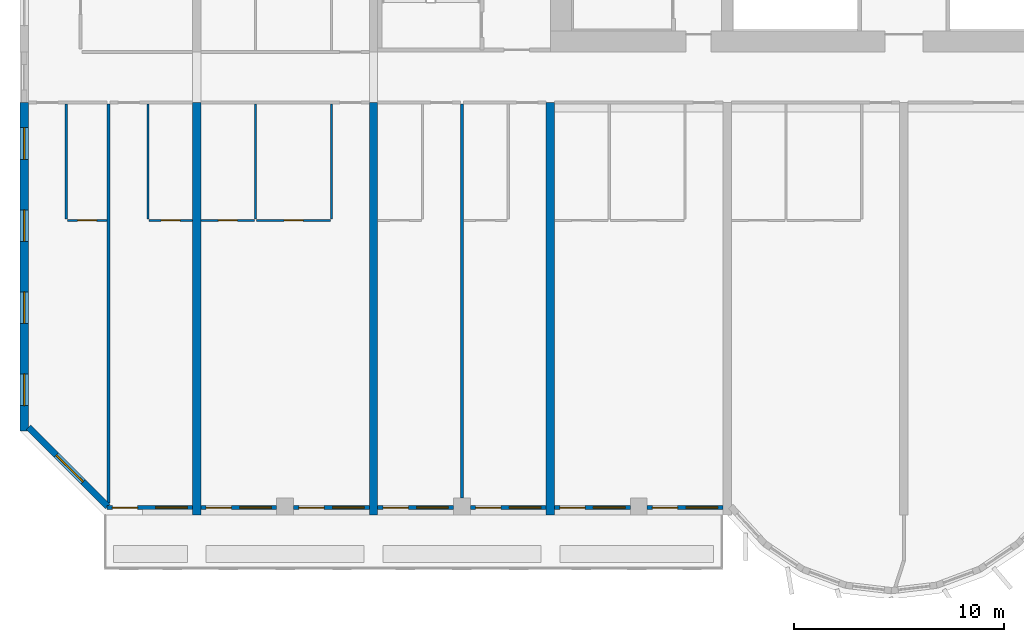
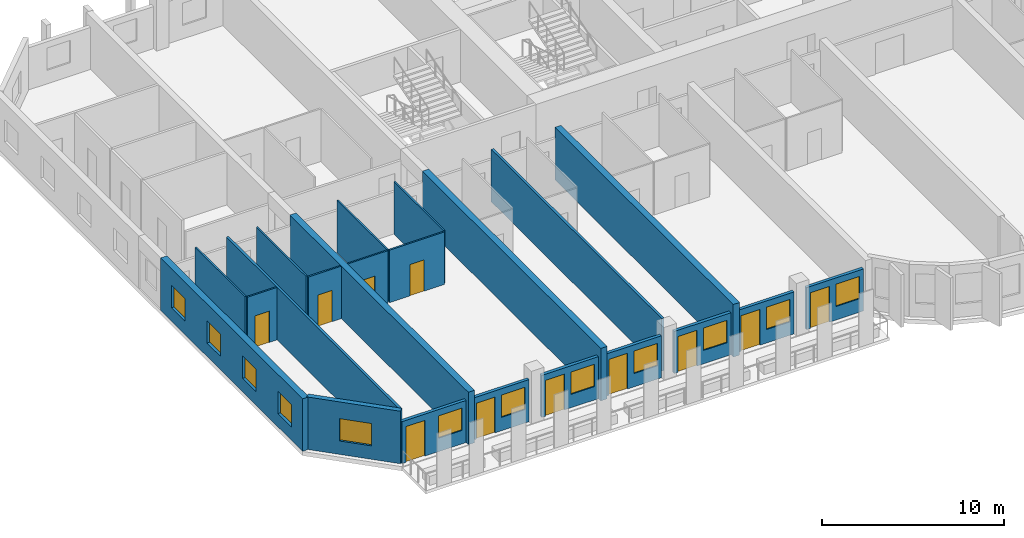
# One storey, part 2 of 14: 22 walls, 12 windows, 11 doors, 23 openings.
"""IFC4 building model written with IfcOpenShell, lengths in metres."""

from ifc_helpers import new_model, si_unit, direction, frame, frame_2d, origin, place, context, subcontext, project, spatial, rectangle, extrude, source, transform, mapped, material, layer, layer_set, type_object, element, fill, save


model = new_model("IFC4")

# Units and contexts
model_context = context("Model", 3, precision=1e-05, world=origin(), true_north=direction((0.0, 1.0)))
body_context = subcontext(model_context, "Body", "Model", "MODEL_VIEW")
ifc_project = project(units=[si_unit("LENGTHUNIT", "METRE"), si_unit("AREAUNIT", "SQUARE_METRE"), si_unit("VOLUMEUNIT", "CUBIC_METRE"), si_unit("PLANEANGLEUNIT", "RADIAN"), si_unit("MASSUNIT", "GRAM", prefix="KILO")], contexts=[model_context])

# Site, building, storey
site_placement = place(None, origin())
site = spatial("IfcSite", under=ifc_project, at=site_placement, CompositionType="ELEMENT")
building_placement = place(site_placement, origin())
building = spatial("IfcBuilding", under=site, at=building_placement, Name="Vanashikhar Sky Hotel", CompositionType="ELEMENT")
storey_placement = place(building_placement, frame((0.0, 0.0, 50.60009765625)))
storey = spatial("IfcBuildingStorey", under=building, at=storey_placement, Name="L11", CompositionType="ELEMENT", Elevation=50.60009765625)

# Wall, openings, windows
ifc_material_1 = material(Name="Concrete M80", Category="concrete")
ifc_layer_1 = layer(ifc_material_1, 0.39990234375)
ifc_layer_set_1 = layer_set([ifc_layer_1], Name="RC shear wall 400 Concrete M80")
wall_type_1 = type_object("IfcWallType", Name="RC shear wall 400 Concrete M80", PredefinedType="SHEAR", material=ifc_layer_set_1)
shared_shape_1 = source(origin(), body_context, "Body", "SweptSolid", [
    extrude(rectangle(XDim=15.60009765625, YDim=0.39990234375, at=frame_2d((7.800048828125, 0.0))), origin(), (0.0, 0.0, 1.0), 3.52001953125),
])
wall_1_placement = place(storey_placement, frame((0.199951171875, 4.0, 0.0), z_axis=(0.0, 0.0, 1.0), x_axis=(0.0, 1.0, 0.0)))
wall_1 = element("IfcWall", 1, at=wall_1_placement, inside=storey, type_object=wall_type_1, Name="CW-L11-XW01-1", PredefinedType="SHEAR", context=body_context, shape_type="MappedRepresentation", body=[
    mapped(shared_shape_1, transform((0.0, 0.0, 0.0), scale=1.0)),
])
shared_shape_2 = source(origin(), body_context, "Body", "SweptSolid", [
    extrude(rectangle(XDim=1.5, YDim=1.5, at=frame_2d((0.75, 0.75))), frame((0.0, 0.2099609375, 0.0), z_axis=(0.0, -1.0, 0.0), x_axis=(1.0, 0.0, 0.0)), (0.0, 0.0, 1.0), 0.419921875),
])
opening_1_placement = place(wall_1_placement, frame((1.199951171875, 0.0, 0.89990234375)))
opening_1 = element("IfcOpeningElement", 2, at=opening_1_placement, cuts=wall_1, Name="Opening WN-1", PredefinedType="OPENING", context=body_context, shape_type="MappedRepresentation", body=[
    mapped(shared_shape_2, transform((0.0, 0.0, 0.0), scale=1.0)),
])
opening_2_placement = place(wall_1_placement, frame((5.10009765625, 0.0, 0.89990234375)))
opening_2 = element("IfcOpeningElement", 3, at=opening_2_placement, cuts=wall_1, Name="Opening WN-1", PredefinedType="OPENING", context=body_context, shape_type="MappedRepresentation", body=[
    mapped(shared_shape_2, transform((0.0, 0.0, 0.0), scale=1.0)),
])
opening_3_placement = place(wall_1_placement, frame((9.0, 0.0, 0.89990234375)))
opening_3 = element("IfcOpeningElement", 4, at=opening_3_placement, cuts=wall_1, Name="Opening WN-1", PredefinedType="OPENING", context=body_context, shape_type="MappedRepresentation", body=[
    mapped(shared_shape_2, transform((0.0, 0.0, 0.0), scale=1.0)),
])
opening_4_placement = place(wall_1_placement, frame((12.89990234375, 0.0, 0.89990234375)))
opening_4 = element("IfcOpeningElement", 5, at=opening_4_placement, cuts=wall_1, Name="Opening WN-1", PredefinedType="OPENING", context=body_context, shape_type="MappedRepresentation", body=[
    mapped(shared_shape_2, transform((0.0, 0.0, 0.0), scale=1.0)),
])
ifc_material_2 = material(Name="Glass", Category="glass")
window_type_1 = type_object("IfcWindowType", Name="Window 1500 x 1500", PartitioningType="SINGLE_PANEL", PredefinedType="WINDOW", material=ifc_material_2)
shared_shape_3 = source(origin(), body_context, "Body", "SweptSolid", [
    extrude(rectangle(XDim=1.5, YDim=1.5, at=frame_2d((0.75, 0.75))), frame((0.0, 0.030029296875, 0.0), z_axis=(0.0, -1.0, 0.0), x_axis=(1.0, 0.0, 0.0)), (0.0, 0.0, 1.0), 0.06005859375),
])
window_1_placement = place(opening_1_placement, origin())
window_1 = element("IfcWindow", 6, at=window_1_placement, inside=storey, type_object=window_type_1, Name="Window WN-1", OverallHeight=1.5, OverallWidth=1.5, PartitioningType="SINGLE_PANEL", PredefinedType="WINDOW", context=body_context, shape_type="MappedRepresentation", body=[
    mapped(shared_shape_3, transform((0.0, 0.0, 0.0), scale=1.0)),
])
fill(opening_1, window_1)
window_2_placement = place(opening_2_placement, origin())
window_2 = element("IfcWindow", 7, at=window_2_placement, inside=storey, type_object=window_type_1, Name="Window WN-1", OverallHeight=1.5, OverallWidth=1.5, PartitioningType="SINGLE_PANEL", PredefinedType="WINDOW", context=body_context, shape_type="MappedRepresentation", body=[
    mapped(shared_shape_3, transform((0.0, 0.0, 0.0), scale=1.0)),
])
fill(opening_2, window_2)
window_3_placement = place(opening_3_placement, origin())
window_3 = element("IfcWindow", 8, at=window_3_placement, inside=storey, type_object=window_type_1, Name="Window WN-1", OverallHeight=1.5, OverallWidth=1.5, PartitioningType="SINGLE_PANEL", PredefinedType="WINDOW", context=body_context, shape_type="MappedRepresentation", body=[
    mapped(shared_shape_3, transform((0.0, 0.0, 0.0), scale=1.0)),
])
fill(opening_3, window_3)
window_4_placement = place(opening_4_placement, origin())
window_4 = element("IfcWindow", 9, at=window_4_placement, inside=storey, type_object=window_type_1, Name="Window WN-1", OverallHeight=1.5, OverallWidth=1.5, PartitioningType="SINGLE_PANEL", PredefinedType="WINDOW", context=body_context, shape_type="MappedRepresentation", body=[
    mapped(shared_shape_3, transform((0.0, 0.0, 0.0), scale=1.0)),
])
fill(opening_4, window_4)

# Walls
shared_shape_4 = source(origin(), body_context, "Body", "SweptSolid", [
    extrude(rectangle(XDim=19.60009765625, YDim=0.39990234375, at=frame_2d((9.800048828125, 0.0))), origin(), (0.0, 0.0, 1.0), 3.52001953125),
])
for number, where, z_axis, x_axis, name in (
    (10, (8.39990234375, 0.0, 0.0), (0.0, 0.0, 1.0), (0.0, 1.0, 0.0), "CW-L11-XW02-1"),
    (11, (16.800048828125, 0.0, 0.0), (0.0, 0.0, 1.0), (0.0, 1.0, 0.0), "CW-L11-XW03-1"),
    (12, (25.199951171875, 0.0, 0.0), (0.0, 0.0, 1.0), (0.0, 1.0, 0.0), "CW-L11-XW04-1"),
):
    element("IfcWall", number, at=place(storey_placement, frame(where, z_axis=z_axis, x_axis=x_axis)), inside=storey, type_object=wall_type_1, Name=name, PredefinedType="SHEAR", context=body_context, shape_type="MappedRepresentation", body=[
        mapped(shared_shape_4, transform((0.0, 0.0, 0.0), scale=1.0)),
    ])

# Wall, opening, window
ifc_material_3 = material(Name="Concrete M50", Category="concrete")
ifc_layer_2 = layer(ifc_material_3, 0.300048828125)
ifc_layer_set_2 = layer_set([ifc_layer_2], Name="Lobe wall 300")
wall_type_2 = type_object("IfcWallType", Name="Lobe wall 300", PredefinedType="SOLIDWALL", material=ifc_layer_set_2)
shared_shape_5 = source(origin(), body_context, "Body", "SweptSolid", [
    extrude(rectangle(XDim=5.32568359375, YDim=0.300048828125, at=frame_2d((2.662841796875, 0.0))), origin(), (0.0, 0.0, 1.0), 3.52001953125),
])
wall_2_placement = place(storey_placement, frame((0.39990234375, 4.165771484375, 0.0), z_axis=(0.0, 0.0, 1.0), x_axis=(0.707106781187, -0.707106781187, 0.0)))
wall_2 = element("IfcWall", 13, at=wall_2_placement, inside=storey, type_object=wall_type_2, Name="Corner wall", PredefinedType="SOLIDWALL", context=body_context, shape_type="MappedRepresentation", body=[
    mapped(shared_shape_5, transform((0.0, 0.0, 0.0), scale=1.0)),
])
shared_shape_6 = source(origin(), body_context, "Body", "SweptSolid", [
    extrude(rectangle(XDim=1.800048828125, YDim=1.5, at=frame_2d((0.89990234375, 0.75))), frame((0.0, 0.16015625, 0.0), z_axis=(0.0, -1.0, 0.0), x_axis=(1.0, 0.0, 0.0)), (0.0, 0.0, 1.0), 0.320068359375),
])
opening_5_placement = place(wall_2_placement, frame((1.871337890625, 0.0, 0.89990234375)))
opening_5 = element("IfcOpeningElement", 14, at=opening_5_placement, cuts=wall_2, Name="Opening WN-4", PredefinedType="OPENING", context=body_context, shape_type="MappedRepresentation", body=[
    mapped(shared_shape_6, transform((0.0, 0.0, 0.0), scale=1.0)),
])
window_type_2 = type_object("IfcWindowType", Name="Corner window 1800 x 1500", PartitioningType="SINGLE_PANEL", PredefinedType="WINDOW", material=ifc_material_2)
shared_shape_7 = source(origin(), body_context, "Body", "SweptSolid", [
    extrude(rectangle(XDim=1.800048828125, YDim=1.5, at=frame_2d((0.89990234375, 0.75))), frame((0.0, 0.030029296875, 0.0), z_axis=(0.0, -1.0, 0.0), x_axis=(1.0, 0.0, 0.0)), (0.0, 0.0, 1.0), 0.06005859375),
])
window_5_placement = place(opening_5_placement, origin())
window_5 = element("IfcWindow", 15, at=window_5_placement, inside=storey, type_object=window_type_2, Name="Window WN-4", OverallHeight=1.5, OverallWidth=1.800048828125, PartitioningType="SINGLE_PANEL", PredefinedType="WINDOW", context=body_context, shape_type="MappedRepresentation", body=[
    mapped(shared_shape_7, transform((0.0, 0.0, 0.0), scale=1.0)),
])
fill(opening_5, window_5)

# Wall, openings, window, door
ifc_layer_3 = layer(ifc_material_3, 0.199951171875)
ifc_layer_set_3 = layer_set([ifc_layer_3], Name="Front window wall 200")
wall_type_3 = type_object("IfcWallType", Name="Front window wall 200", PredefinedType="SOLIDWALL", material=ifc_layer_set_3)
shared_shape_8 = source(origin(), body_context, "Body", "SweptSolid", [
    extrude(rectangle(XDim=4.054931640625, YDim=0.199951171875, at=frame_2d((2.02734375, 0.0))), origin(), (0.0, 0.0, 1.0), 2.81982421875),
])
wall_3_placement = place(storey_placement, frame((4.14501953125, 0.35009765625, 0.0), z_axis=(0.0, 0.0, 1.0), x_axis=(1.0, 0.0, 0.0)))
wall_3 = element("IfcWall", 16, at=wall_3_placement, inside=storey, type_object=wall_type_3, Name="Front window wall", PredefinedType="SOLIDWALL", context=body_context, shape_type="MappedRepresentation", body=[
    mapped(shared_shape_8, transform((0.0, 0.0, 0.0), scale=1.0)),
])
shared_shape_9 = source(origin(), body_context, "Body", "SweptSolid", [
    extrude(rectangle(XDim=1.199951171875, YDim=2.39990234375, at=frame_2d((0.60009765625, 1.199951171875))), frame((0.0, 0.10986328125, 0.0), z_axis=(0.0, -1.0, 0.0), x_axis=(1.0, 0.0, 0.0)), (0.0, 0.0, 1.0), 0.219970703125),
])
opening_6_placement = place(wall_3_placement, frame((0.25, 0.0, 0.0)))
opening_6 = element("IfcOpeningElement", 17, at=opening_6_placement, cuts=wall_3, Name="Opening BD-01", PredefinedType="OPENING", context=body_context, shape_type="MappedRepresentation", body=[
    mapped(shared_shape_9, transform((0.0, 0.0, 0.0), scale=1.0)),
])
shared_shape_10 = source(origin(), body_context, "Body", "SweptSolid", [
    extrude(rectangle(XDim=1.5, YDim=1.5, at=frame_2d((0.75, 0.75))), frame((0.0, 0.10986328125, 0.0), z_axis=(0.0, -1.0, 0.0), x_axis=(1.0, 0.0, 0.0)), (0.0, 0.0, 1.0), 0.219970703125),
])
opening_7_placement = place(wall_3_placement, frame((2.304931640625, 0.0, 0.89990234375)))
opening_7 = element("IfcOpeningElement", 18, at=opening_7_placement, cuts=wall_3, Name="Opening WN-1", PredefinedType="OPENING", context=body_context, shape_type="MappedRepresentation", body=[
    mapped(shared_shape_10, transform((0.0, 0.0, 0.0), scale=1.0)),
])
window_6_placement = place(opening_7_placement, origin())
window_6 = element("IfcWindow", 19, at=window_6_placement, inside=storey, type_object=window_type_1, Name="Window WN-1", OverallHeight=1.5, OverallWidth=1.5, PartitioningType="SINGLE_PANEL", PredefinedType="WINDOW", context=body_context, shape_type="MappedRepresentation", body=[
    mapped(shared_shape_3, transform((0.0, 0.0, 0.0), scale=1.0)),
])
fill(opening_7, window_6)
ifc_material_4 = material(Name="Aluminium", Category="aluminium")
door_type_1 = type_object("IfcDoorType", Name="Balcony sliding door 1200 x 2400", OperationType="NOTDEFINED", PredefinedType="DOOR", material=ifc_material_4)
shared_shape_11 = source(origin(), body_context, "Body", "SweptSolid", [
    extrude(rectangle(XDim=1.199951171875, YDim=2.39990234375, at=frame_2d((0.60009765625, 1.199951171875))), frame((0.0, 0.02490234375, 0.0), z_axis=(0.0, -1.0, 0.0), x_axis=(1.0, 0.0, 0.0)), (0.0, 0.0, 1.0), 0.050048828125),
])
door_1_placement = place(opening_6_placement, origin())
door_1 = element("IfcDoor", 20, at=door_1_placement, inside=storey, type_object=door_type_1, Name="Balcony sliding door", OperationType="SLIDING_TO_LEFT", OverallHeight=2.39990234375, OverallWidth=1.199951171875, PredefinedType="DOOR", context=body_context, shape_type="MappedRepresentation", body=[
    mapped(shared_shape_11, transform((0.0, 0.0, 0.0), scale=1.0)),
])
fill(opening_6, door_1)

shared_shape_12 = source(origin(), body_context, "Body", "SweptSolid", [
    extrude(rectangle(XDim=3.599853515625, YDim=0.199951171875, at=frame_2d((1.7998046875, 0.0))), origin(), (0.0, 0.0, 1.0), 2.81982421875),
])
wall_4_placement = place(storey_placement, frame((8.60009765625, 0.35009765625, 0.0), z_axis=(0.0, 0.0, 1.0), x_axis=(1.0, 0.0, 0.0)))
wall_4 = element("IfcWall", 21, at=wall_4_placement, inside=storey, type_object=wall_type_3, Name="Front window wall", PredefinedType="SOLIDWALL", context=body_context, shape_type="MappedRepresentation", body=[
    mapped(shared_shape_12, transform((0.0, 0.0, 0.0), scale=1.0)),
])
opening_8_placement = place(wall_4_placement, frame((0.25, 0.0, 0.0)))
opening_8 = element("IfcOpeningElement", 22, at=opening_8_placement, cuts=wall_4, Name="Opening BD-02", PredefinedType="OPENING", context=body_context, shape_type="MappedRepresentation", body=[
    mapped(shared_shape_9, transform((0.0, 0.0, 0.0), scale=1.0)),
])
opening_9_placement = place(wall_4_placement, frame((1.85009765625, 0.0, 0.89990234375)))
opening_9 = element("IfcOpeningElement", 23, at=opening_9_placement, cuts=wall_4, Name="Opening WN-1", PredefinedType="OPENING", context=body_context, shape_type="MappedRepresentation", body=[
    mapped(shared_shape_10, transform((0.0, 0.0, 0.0), scale=1.0)),
])
window_7_placement = place(opening_9_placement, origin())
window_7 = element("IfcWindow", 24, at=window_7_placement, inside=storey, type_object=window_type_1, Name="Window WN-1", OverallHeight=1.5, OverallWidth=1.5, PartitioningType="SINGLE_PANEL", PredefinedType="WINDOW", context=body_context, shape_type="MappedRepresentation", body=[
    mapped(shared_shape_3, transform((0.0, 0.0, 0.0), scale=1.0)),
])
fill(opening_9, window_7)
door_2_placement = place(opening_8_placement, origin())
door_2 = element("IfcDoor", 25, at=door_2_placement, inside=storey, type_object=door_type_1, Name="Balcony sliding door", OperationType="SLIDING_TO_RIGHT", OverallHeight=2.39990234375, OverallWidth=1.199951171875, PredefinedType="DOOR", context=body_context, shape_type="MappedRepresentation", body=[
    mapped(shared_shape_11, transform((0.0, 0.0, 0.0), scale=1.0)),
])
fill(opening_8, door_2)

wall_5_placement = place(storey_placement, frame((29.800048828125, 0.35009765625, 0.0), z_axis=(0.0, 0.0, 1.0), x_axis=(1.0, 0.0, 0.0)))
wall_5 = element("IfcWall", 26, at=wall_5_placement, inside=storey, type_object=wall_type_3, Name="Front window wall", PredefinedType="SOLIDWALL", context=body_context, shape_type="MappedRepresentation", body=[
    mapped(shared_shape_12, transform((0.0, 0.0, 0.0), scale=1.0)),
])
opening_10_placement = place(wall_5_placement, frame((0.25, 0.0, 0.0)))
opening_10 = element("IfcOpeningElement", 27, at=opening_10_placement, cuts=wall_5, Name="Opening BD-07", PredefinedType="OPENING", context=body_context, shape_type="MappedRepresentation", body=[
    mapped(shared_shape_9, transform((0.0, 0.0, 0.0), scale=1.0)),
])
opening_11_placement = place(wall_5_placement, frame((1.85009765625, 0.0, 0.89990234375)))
opening_11 = element("IfcOpeningElement", 28, at=opening_11_placement, cuts=wall_5, Name="Opening WN-1", PredefinedType="OPENING", context=body_context, shape_type="MappedRepresentation", body=[
    mapped(shared_shape_10, transform((0.0, 0.0, 0.0), scale=1.0)),
])
window_8_placement = place(opening_11_placement, origin())
window_8 = element("IfcWindow", 29, at=window_8_placement, inside=storey, type_object=window_type_1, Name="Window WN-1", OverallHeight=1.5, OverallWidth=1.5, PartitioningType="SINGLE_PANEL", PredefinedType="WINDOW", context=body_context, shape_type="MappedRepresentation", body=[
    mapped(shared_shape_3, transform((0.0, 0.0, 0.0), scale=1.0)),
])
fill(opening_11, window_8)
door_3_placement = place(opening_10_placement, origin())
door_3 = element("IfcDoor", 30, at=door_3_placement, inside=storey, type_object=door_type_1, Name="Balcony sliding door", OperationType="SLIDING_TO_LEFT", OverallHeight=2.39990234375, OverallWidth=1.199951171875, PredefinedType="DOOR", context=body_context, shape_type="MappedRepresentation", body=[
    mapped(shared_shape_11, transform((0.0, 0.0, 0.0), scale=1.0)),
])
fill(opening_10, door_3)

shared_shape_13 = source(origin(), body_context, "Body", "SweptSolid", [
    extrude(rectangle(XDim=3.60009765625, YDim=0.199951171875, at=frame_2d((1.800048828125, 0.0))), origin(), (0.0, 0.0, 1.0), 2.81982421875),
])
wall_6_placement = place(storey_placement, frame((13.0, 0.35009765625, 0.0), z_axis=(0.0, 0.0, 1.0), x_axis=(1.0, 0.0, 0.0)))
wall_6 = element("IfcWall", 31, at=wall_6_placement, inside=storey, type_object=wall_type_3, Name="Front window wall", PredefinedType="SOLIDWALL", context=body_context, shape_type="MappedRepresentation", body=[
    mapped(shared_shape_13, transform((0.0, 0.0, 0.0), scale=1.0)),
])
opening_12_placement = place(wall_6_placement, frame((0.25, 0.0, 0.0)))
opening_12 = element("IfcOpeningElement", 32, at=opening_12_placement, cuts=wall_6, Name="Opening BD-03", PredefinedType="OPENING", context=body_context, shape_type="MappedRepresentation", body=[
    mapped(shared_shape_9, transform((0.0, 0.0, 0.0), scale=1.0)),
])
opening_13_placement = place(wall_6_placement, frame((1.85009765625, 0.0, 0.89990234375)))
opening_13 = element("IfcOpeningElement", 33, at=opening_13_placement, cuts=wall_6, Name="Opening WN-1", PredefinedType="OPENING", context=body_context, shape_type="MappedRepresentation", body=[
    mapped(shared_shape_10, transform((0.0, 0.0, 0.0), scale=1.0)),
])
window_9_placement = place(opening_13_placement, origin())
window_9 = element("IfcWindow", 34, at=window_9_placement, inside=storey, type_object=window_type_1, Name="Window WN-1", OverallHeight=1.5, OverallWidth=1.5, PartitioningType="SINGLE_PANEL", PredefinedType="WINDOW", context=body_context, shape_type="MappedRepresentation", body=[
    mapped(shared_shape_3, transform((0.0, 0.0, 0.0), scale=1.0)),
])
fill(opening_13, window_9)
door_4_placement = place(opening_12_placement, origin())
door_4 = element("IfcDoor", 35, at=door_4_placement, inside=storey, type_object=door_type_1, Name="Balcony sliding door", OperationType="SLIDING_TO_LEFT", OverallHeight=2.39990234375, OverallWidth=1.199951171875, PredefinedType="DOOR", context=body_context, shape_type="MappedRepresentation", body=[
    mapped(shared_shape_11, transform((0.0, 0.0, 0.0), scale=1.0)),
])
fill(opening_12, door_4)

wall_7_placement = place(storey_placement, frame((17.0, 0.35009765625, 0.0), z_axis=(0.0, 0.0, 1.0), x_axis=(1.0, 0.0, 0.0)))
wall_7 = element("IfcWall", 36, at=wall_7_placement, inside=storey, type_object=wall_type_3, Name="Front window wall", PredefinedType="SOLIDWALL", context=body_context, shape_type="MappedRepresentation", body=[
    mapped(shared_shape_13, transform((0.0, 0.0, 0.0), scale=1.0)),
])
opening_14_placement = place(wall_7_placement, frame((0.25, 0.0, 0.0)))
opening_14 = element("IfcOpeningElement", 37, at=opening_14_placement, cuts=wall_7, Name="Opening BD-04", PredefinedType="OPENING", context=body_context, shape_type="MappedRepresentation", body=[
    mapped(shared_shape_9, transform((0.0, 0.0, 0.0), scale=1.0)),
])
opening_15_placement = place(wall_7_placement, frame((1.85009765625, 0.0, 0.89990234375)))
opening_15 = element("IfcOpeningElement", 38, at=opening_15_placement, cuts=wall_7, Name="Opening WN-1", PredefinedType="OPENING", context=body_context, shape_type="MappedRepresentation", body=[
    mapped(shared_shape_10, transform((0.0, 0.0, 0.0), scale=1.0)),
])
window_10_placement = place(opening_15_placement, origin())
window_10 = element("IfcWindow", 39, at=window_10_placement, inside=storey, type_object=window_type_1, Name="Window WN-1", OverallHeight=1.5, OverallWidth=1.5, PartitioningType="SINGLE_PANEL", PredefinedType="WINDOW", context=body_context, shape_type="MappedRepresentation", body=[
    mapped(shared_shape_3, transform((0.0, 0.0, 0.0), scale=1.0)),
])
fill(opening_15, window_10)
door_5_placement = place(opening_14_placement, origin())
door_5 = element("IfcDoor", 40, at=door_5_placement, inside=storey, type_object=door_type_1, Name="Balcony sliding door", OperationType="SLIDING_TO_RIGHT", OverallHeight=2.39990234375, OverallWidth=1.199951171875, PredefinedType="DOOR", context=body_context, shape_type="MappedRepresentation", body=[
    mapped(shared_shape_11, transform((0.0, 0.0, 0.0), scale=1.0)),
])
fill(opening_14, door_5)

wall_8_placement = place(storey_placement, frame((21.39990234375, 0.35009765625, 0.0), z_axis=(0.0, 0.0, 1.0), x_axis=(1.0, 0.0, 0.0)))
wall_8 = element("IfcWall", 41, at=wall_8_placement, inside=storey, type_object=wall_type_3, Name="Front window wall", PredefinedType="SOLIDWALL", context=body_context, shape_type="MappedRepresentation", body=[
    mapped(shared_shape_13, transform((0.0, 0.0, 0.0), scale=1.0)),
])
opening_16_placement = place(wall_8_placement, frame((0.25, 0.0, 0.0)))
opening_16 = element("IfcOpeningElement", 42, at=opening_16_placement, cuts=wall_8, Name="Opening BD-05", PredefinedType="OPENING", context=body_context, shape_type="MappedRepresentation", body=[
    mapped(shared_shape_9, transform((0.0, 0.0, 0.0), scale=1.0)),
])
opening_17_placement = place(wall_8_placement, frame((1.85009765625, 0.0, 0.89990234375)))
opening_17 = element("IfcOpeningElement", 43, at=opening_17_placement, cuts=wall_8, Name="Opening WN-1", PredefinedType="OPENING", context=body_context, shape_type="MappedRepresentation", body=[
    mapped(shared_shape_10, transform((0.0, 0.0, 0.0), scale=1.0)),
])
window_11_placement = place(opening_17_placement, origin())
window_11 = element("IfcWindow", 44, at=window_11_placement, inside=storey, type_object=window_type_1, Name="Window WN-1", OverallHeight=1.5, OverallWidth=1.5, PartitioningType="SINGLE_PANEL", PredefinedType="WINDOW", context=body_context, shape_type="MappedRepresentation", body=[
    mapped(shared_shape_3, transform((0.0, 0.0, 0.0), scale=1.0)),
])
fill(opening_17, window_11)
door_6_placement = place(opening_16_placement, origin())
door_6 = element("IfcDoor", 45, at=door_6_placement, inside=storey, type_object=door_type_1, Name="Balcony sliding door", OperationType="SLIDING_TO_LEFT", OverallHeight=2.39990234375, OverallWidth=1.199951171875, PredefinedType="DOOR", context=body_context, shape_type="MappedRepresentation", body=[
    mapped(shared_shape_11, transform((0.0, 0.0, 0.0), scale=1.0)),
])
fill(opening_16, door_6)

wall_9_placement = place(storey_placement, frame((25.39990234375, 0.35009765625, 0.0), z_axis=(0.0, 0.0, 1.0), x_axis=(1.0, 0.0, 0.0)))
wall_9 = element("IfcWall", 46, at=wall_9_placement, inside=storey, type_object=wall_type_3, Name="Front window wall", PredefinedType="SOLIDWALL", context=body_context, shape_type="MappedRepresentation", body=[
    mapped(shared_shape_13, transform((0.0, 0.0, 0.0), scale=1.0)),
])
opening_18_placement = place(wall_9_placement, frame((0.25, 0.0, 0.0)))
opening_18 = element("IfcOpeningElement", 47, at=opening_18_placement, cuts=wall_9, Name="Opening BD-06", PredefinedType="OPENING", context=body_context, shape_type="MappedRepresentation", body=[
    mapped(shared_shape_9, transform((0.0, 0.0, 0.0), scale=1.0)),
])
opening_19_placement = place(wall_9_placement, frame((1.85009765625, 0.0, 0.89990234375)))
opening_19 = element("IfcOpeningElement", 48, at=opening_19_placement, cuts=wall_9, Name="Opening WN-1", PredefinedType="OPENING", context=body_context, shape_type="MappedRepresentation", body=[
    mapped(shared_shape_10, transform((0.0, 0.0, 0.0), scale=1.0)),
])
window_12_placement = place(opening_19_placement, origin())
window_12 = element("IfcWindow", 49, at=window_12_placement, inside=storey, type_object=window_type_1, Name="Window WN-1", OverallHeight=1.5, OverallWidth=1.5, PartitioningType="SINGLE_PANEL", PredefinedType="WINDOW", context=body_context, shape_type="MappedRepresentation", body=[
    mapped(shared_shape_3, transform((0.0, 0.0, 0.0), scale=1.0)),
])
fill(opening_19, window_12)
door_7_placement = place(opening_18_placement, origin())
door_7 = element("IfcDoor", 50, at=door_7_placement, inside=storey, type_object=door_type_1, Name="Balcony sliding door", OperationType="SLIDING_TO_RIGHT", OverallHeight=2.39990234375, OverallWidth=1.199951171875, PredefinedType="DOOR", context=body_context, shape_type="MappedRepresentation", body=[
    mapped(shared_shape_11, transform((0.0, 0.0, 0.0), scale=1.0)),
])
fill(opening_18, door_7)

# Wall
ifc_material_5 = material(Name="Gypsum plasterboard partition")
ifc_layer_4 = layer(ifc_material_5, 0.14990234375)
ifc_layer_set_4 = layer_set([ifc_layer_4], Name="Corridor and demising partition 150")
wall_type_4 = type_object("IfcWallType", Name="Corridor and demising partition 150", PredefinedType="PARTITIONING", material=ifc_layer_set_4)
shared_shape_14 = source(origin(), body_context, "Body", "SweptSolid", [
    extrude(rectangle(XDim=18.947021484375, YDim=0.14990234375, at=frame_2d((9.4736328125, 0.0))), origin(), (0.0, 0.0, 1.0), 3.52001953125),
])
wall_10_placement = place(storey_placement, frame((4.199951171875, 0.577880859375, 0.0), z_axis=(0.0, 0.0, 1.0), x_axis=(0.0, 1.0, 0.0)))
element("IfcWall", 51, at=wall_10_placement, inside=storey, type_object=wall_type_4, Name="W-L11-PW007", PredefinedType="PARTITIONING", context=body_context, shape_type="MappedRepresentation", body=[
    mapped(shared_shape_14, transform((0.0, 0.0, 0.0), scale=1.0)),
])

# Wall, opening, door
ifc_layer_5 = layer(ifc_material_5, 0.10009765625)
ifc_layer_set_5 = layer_set([ifc_layer_5], Name="Wet room partition 100")
wall_type_5 = type_object("IfcWallType", Name="Wet room partition 100", PredefinedType="PARTITIONING", material=ifc_layer_set_5)
shared_shape_15 = source(origin(), body_context, "Body", "SweptSolid", [
    extrude(rectangle(XDim=3.5, YDim=0.10009765625, at=frame_2d((1.75, 0.0))), origin(), (0.0, 0.0, 1.0), 3.52001953125),
])
wall_11_placement = place(storey_placement, frame((11.25, 14.0, 0.0), z_axis=(0.0, 0.0, 1.0), x_axis=(1.0, 0.0, 0.0)))
wall_11 = element("IfcWall", 52, at=wall_11_placement, inside=storey, type_object=wall_type_5, Name="W-L11-PW010", PredefinedType="PARTITIONING", context=body_context, shape_type="MappedRepresentation", body=[
    mapped(shared_shape_15, transform((0.0, 0.0, 0.0), scale=1.0)),
])
shared_shape_16 = source(origin(), body_context, "Body", "SweptSolid", [
    extrude(rectangle(XDim=0.89990234375, YDim=2.10009765625, at=frame_2d((0.449951171875, 1.050048828125))), frame((0.0, 0.06005859375, 0.0), z_axis=(0.0, -1.0, 0.0), x_axis=(1.0, 0.0, 0.0)), (0.0, 0.0, 1.0), 0.1201171875),
])
opening_20_placement = place(wall_11_placement, frame((1.300048828125, 0.0, 0.0)))
opening_20 = element("IfcOpeningElement", 53, at=opening_20_placement, cuts=wall_11, Name="Opening D-02", PredefinedType="OPENING", context=body_context, shape_type="MappedRepresentation", body=[
    mapped(shared_shape_16, transform((0.0, 0.0, 0.0), scale=1.0)),
])
ifc_material_6 = material(Name="Timber door", Category="wood")
door_type_2 = type_object("IfcDoorType", Name="Internal door 900", OperationType="NOTDEFINED", PredefinedType="DOOR", material=ifc_material_6)
shared_shape_17 = source(origin(), body_context, "Body", "SweptSolid", [
    extrude(rectangle(XDim=0.89990234375, YDim=2.10009765625, at=frame_2d((0.449951171875, 1.050048828125))), frame((0.0, 0.02490234375, 0.0), z_axis=(0.0, -1.0, 0.0), x_axis=(1.0, 0.0, 0.0)), (0.0, 0.0, 1.0), 0.050048828125),
])
door_8_placement = place(opening_20_placement, origin())
door_8 = element("IfcDoor", 54, at=door_8_placement, inside=storey, type_object=door_type_2, Name="D-L11-005", OperationType="SINGLE_SWING_RIGHT", OverallHeight=2.10009765625, OverallWidth=0.89990234375, PredefinedType="DOOR", context=body_context, shape_type="MappedRepresentation", body=[
    mapped(shared_shape_17, transform((0.0, 0.0, 0.0), scale=1.0)),
])
fill(opening_20, door_8)

shared_shape_18 = source(origin(), body_context, "Body", "SweptSolid", [
    extrude(rectangle(XDim=2.074951171875, YDim=0.10009765625, at=frame_2d((1.03759765625, 0.0))), origin(), (0.0, 0.0, 1.0), 3.52001953125),
])
wall_12_placement = place(storey_placement, frame((6.125, 14.0, 0.0), z_axis=(0.0, 0.0, 1.0), x_axis=(1.0, 0.0, 0.0)))
wall_12 = element("IfcWall", 55, at=wall_12_placement, inside=storey, type_object=wall_type_5, Name="W-L11-PW005", PredefinedType="PARTITIONING", context=body_context, shape_type="MappedRepresentation", body=[
    mapped(shared_shape_18, transform((0.0, 0.0, 0.0), scale=1.0)),
])
opening_21_placement = place(wall_12_placement, frame((0.5869140625, 0.0, 0.0)))
opening_21 = element("IfcOpeningElement", 56, at=opening_21_placement, cuts=wall_12, Name="Opening D-02", PredefinedType="OPENING", context=body_context, shape_type="MappedRepresentation", body=[
    mapped(shared_shape_16, transform((0.0, 0.0, 0.0), scale=1.0)),
])
door_9_placement = place(opening_21_placement, origin())
door_9 = element("IfcDoor", 57, at=door_9_placement, inside=storey, type_object=door_type_2, Name="D-L11-003", OperationType="SINGLE_SWING_LEFT", OverallHeight=2.10009765625, OverallWidth=0.89990234375, PredefinedType="DOOR", context=body_context, shape_type="MappedRepresentation", body=[
    mapped(shared_shape_17, transform((0.0, 0.0, 0.0), scale=1.0)),
])
fill(opening_21, door_9)

# Wall
shared_shape_19 = source(origin(), body_context, "Body", "SweptSolid", [
    extrude(rectangle(XDim=18.724853515625, YDim=0.14990234375, at=frame_2d((9.3623046875, 0.0))), origin(), (0.0, 0.0, 1.0), 3.52001953125),
])
wall_13_placement = place(storey_placement, frame((21.0, 0.800048828125, 0.0), z_axis=(0.0, 0.0, 1.0), x_axis=(0.0, 1.0, 0.0)))
element("IfcWall", 58, at=wall_13_placement, inside=storey, type_object=wall_type_4, Name="W-L11-PW019", PredefinedType="PARTITIONING", context=body_context, shape_type="MappedRepresentation", body=[
    mapped(shared_shape_19, transform((0.0, 0.0, 0.0), scale=1.0)),
])

# Wall, opening, door
shared_shape_20 = source(origin(), body_context, "Body", "SweptSolid", [
    extrude(rectangle(XDim=2.5498046875, YDim=0.10009765625, at=frame_2d((1.27490234375, 0.0))), origin(), (0.0, 0.0, 1.0), 3.52001953125),
])
wall_14_placement = place(storey_placement, frame((8.60009765625, 14.0, 0.0), z_axis=(0.0, 0.0, 1.0), x_axis=(1.0, 0.0, 0.0)))
wall_14 = element("IfcWall", 59, at=wall_14_placement, inside=storey, type_object=wall_type_5, Name="W-L11-PW011", PredefinedType="PARTITIONING", context=body_context, shape_type="MappedRepresentation", body=[
    mapped(shared_shape_20, transform((0.0, 0.0, 0.0), scale=1.0)),
])
opening_22_placement = place(wall_14_placement, frame((0.824951171875, 0.0, 0.0)))
opening_22 = element("IfcOpeningElement", 60, at=opening_22_placement, cuts=wall_14, Name="Opening D-02", PredefinedType="OPENING", context=body_context, shape_type="MappedRepresentation", body=[
    mapped(shared_shape_16, transform((0.0, 0.0, 0.0), scale=1.0)),
])
door_10_placement = place(opening_22_placement, origin())
door_10 = element("IfcDoor", 61, at=door_10_placement, inside=storey, type_object=door_type_2, Name="D-L11-006", OperationType="SINGLE_SWING_RIGHT", OverallHeight=2.10009765625, OverallWidth=0.89990234375, PredefinedType="DOOR", context=body_context, shape_type="MappedRepresentation", body=[
    mapped(shared_shape_17, transform((0.0, 0.0, 0.0), scale=1.0)),
])
fill(opening_22, door_10)

shared_shape_21 = source(origin(), body_context, "Body", "SweptSolid", [
    extrude(rectangle(XDim=1.875, YDim=0.10009765625, at=frame_2d((0.9375, 0.0))), origin(), (0.0, 0.0, 1.0), 3.52001953125),
])
wall_15_placement = place(storey_placement, frame((2.25, 14.0, 0.0), z_axis=(0.0, 0.0, 1.0), x_axis=(1.0, 0.0, 0.0)))
wall_15 = element("IfcWall", 62, at=wall_15_placement, inside=storey, type_object=wall_type_5, Name="W-L11-PW002", PredefinedType="PARTITIONING", context=body_context, shape_type="MappedRepresentation", body=[
    mapped(shared_shape_21, transform((0.0, 0.0, 0.0), scale=1.0)),
])
opening_23_placement = place(wall_15_placement, frame((0.487060546875, 0.0, 0.0)))
opening_23 = element("IfcOpeningElement", 63, at=opening_23_placement, cuts=wall_15, Name="Opening D-02", PredefinedType="OPENING", context=body_context, shape_type="MappedRepresentation", body=[
    mapped(shared_shape_16, transform((0.0, 0.0, 0.0), scale=1.0)),
])
door_11_placement = place(opening_23_placement, origin())
door_11 = element("IfcDoor", 64, at=door_11_placement, inside=storey, type_object=door_type_2, Name="D-L11-001", OperationType="SINGLE_SWING_LEFT", OverallHeight=2.10009765625, OverallWidth=0.89990234375, PredefinedType="DOOR", context=body_context, shape_type="MappedRepresentation", body=[
    mapped(shared_shape_17, transform((0.0, 0.0, 0.0), scale=1.0)),
])
fill(opening_23, door_11)

# Walls
shared_shape_22 = source(origin(), body_context, "Body", "SweptSolid", [
    extrude(rectangle(XDim=5.449951171875, YDim=0.10009765625, at=frame_2d((2.72509765625, 0.0))), origin(), (0.0, 0.0, 1.0), 3.52001953125),
])
for number, where, z_axis, x_axis, name in (
    (65, (2.199951171875, 14.074951171875, 0.0), (0.0, 0.0, 1.0), (0.0, 1.0, 0.0), "W-L11-PW001"),
    (66, (6.074951171875, 14.074951171875, 0.0), (0.0, 0.0, 1.0), (0.0, 1.0, 0.0), "W-L11-PW004"),
    (67, (14.800048828125, 14.074951171875, 0.0), (0.0, 0.0, 1.0), (0.0, 1.0, 0.0), "W-L11-PW008"),
    (68, (11.199951171875, 14.074951171875, 0.0), (0.0, 0.0, 1.0), (0.0, 1.0, 0.0), "W-L11-PW009"),
):
    element("IfcWall", number, at=place(storey_placement, frame(where, z_axis=z_axis, x_axis=x_axis)), inside=storey, type_object=wall_type_5, Name=name, PredefinedType="PARTITIONING", context=body_context, shape_type="MappedRepresentation", body=[
        mapped(shared_shape_22, transform((0.0, 0.0, 0.0), scale=1.0)),
    ])

save(model, "model.ifc")
